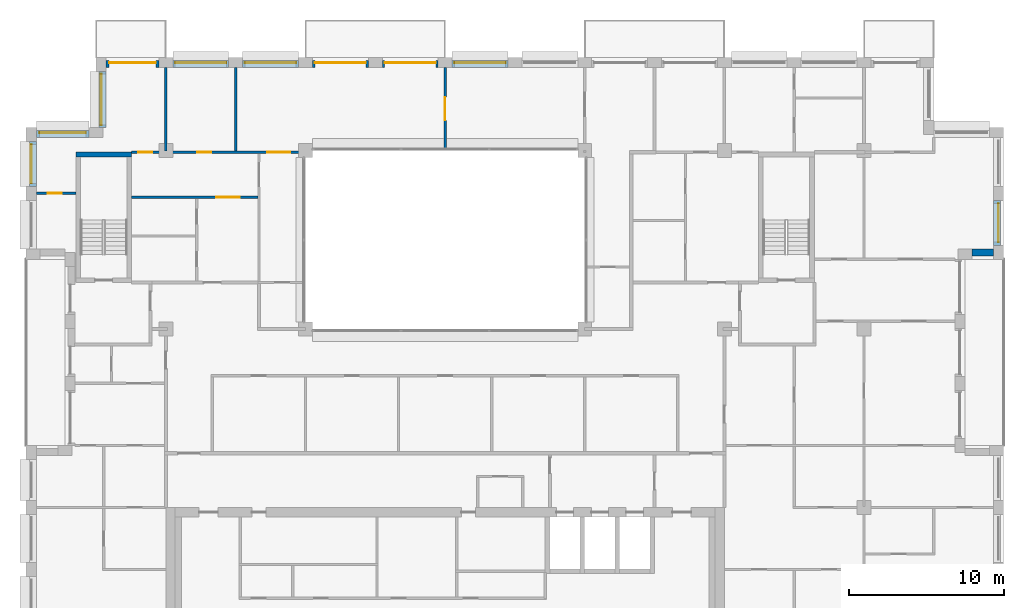
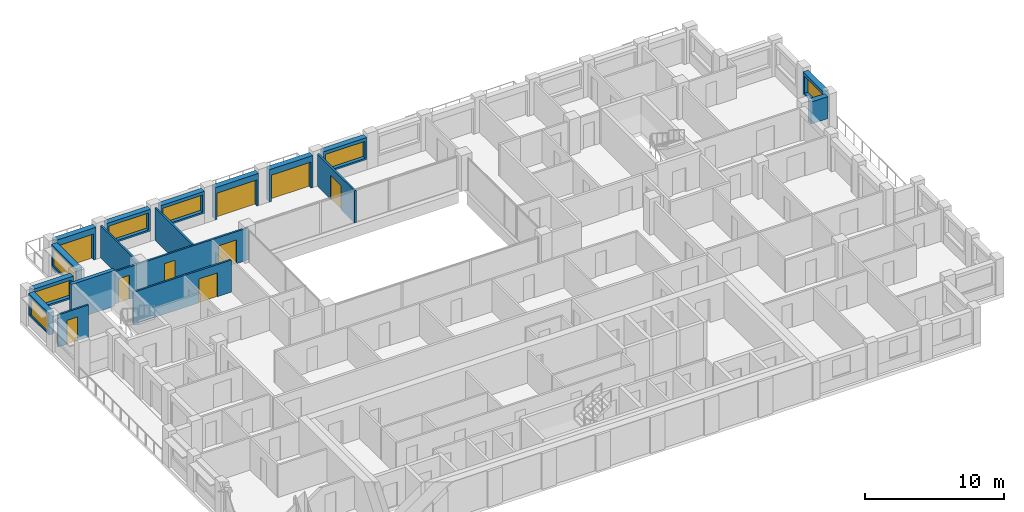
# One storey, part 13 of 16: 18 walls, 9 doors, 7 windows, 16 openings.
"""IFC4 building model written with IfcOpenShell, lengths in metres."""

from ifc_helpers import new_model, si_unit, direction, frame, frame_2d, origin, place, context, subcontext, project, spatial, rectangle, extrude, material, layer, layer_set, type_object, element, fill, save


model = new_model("IFC4")

# Units and contexts
model_context = context("Model", 3, precision=1e-05, world=origin(), true_north=direction((0.0, 1.0)))
body_context = subcontext(model_context, "Body", "Model", "MODEL_VIEW")
ifc_project = project(units=[si_unit("LENGTHUNIT", "METRE"), si_unit("AREAUNIT", "SQUARE_METRE"), si_unit("VOLUMEUNIT", "CUBIC_METRE"), si_unit("PLANEANGLEUNIT", "RADIAN"), si_unit("MASSUNIT", "GRAM", prefix="KILO")], contexts=[model_context])

# Site, building, storey
site_placement = place(None, origin())
site = spatial("IfcSite", under=ifc_project, at=site_placement, CompositionType="ELEMENT")
building_placement = place(site_placement, origin())
building = spatial("IfcBuilding", under=site, at=building_placement, Name="Brigalow Station Residences", CompositionType="ELEMENT")
storey_placement = place(building_placement, frame((0.0, 0.0, 198.0)))
storey = spatial("IfcBuildingStorey", under=building, at=storey_placement, Name="L56", CompositionType="ELEMENT", Elevation=198.0)

# Wall
ifc_material_1 = material(Name="Clay brick masonry", Category="masonry")
ifc_layer_1 = layer(ifc_material_1, 0.449951171875)
ifc_layer_set_1 = layer_set([ifc_layer_1], Name="BRICK INFILL WALL 450")
wall_type_1 = type_object("IfcWallType", Name="BRICK INFILL WALL 450", PredefinedType="SOLIDWALL", material=ifc_layer_set_1)
wall_1_placement = place(storey_placement, frame((69.949951171875, 28.925048828125, 0.89990234375), z_axis=(0.0, 0.0, 1.0), x_axis=(1.0, 0.0, 0.0)))
element("IfcWall", 1, at=wall_1_placement, inside=storey, type_object=wall_type_1, Name="L56/ewall/W-L56-15", PredefinedType="SOLIDWALL", context=body_context, shape_type="SweptSolid", body=[
    extrude(rectangle(XDim=1.400146484375, YDim=0.449951171875, at=frame_2d((0.7001953125, 0.0))), origin(), (0.0, 0.0, 1.0), 1.93017578125),
])

# Wall, opening, window
wall_2_placement = place(storey_placement, frame((71.574951171875, 29.39990234375, 0.89990234375), z_axis=(0.0, 0.0, 1.0), x_axis=(0.0, 1.0, 0.0)))
wall_2 = element("IfcWall", 2, at=wall_2_placement, inside=storey, type_object=wall_type_1, Name="L56/ewall/W-L56-16", PredefinedType="SOLIDWALL", context=body_context, shape_type="SweptSolid", body=[
    extrude(rectangle(XDim=2.900146484375, YDim=0.449951171875, at=frame_2d((1.4501953125, 0.0))), origin(), (0.0, 0.0, 1.0), 1.93017578125),
])
opening_1_placement = place(wall_2_placement, frame((0.199951171875, 0.0, 0.14990234375)))
opening_1 = element("IfcOpeningElement", 3, at=opening_1_placement, cuts=wall_2, Name="Opening WT-5", PredefinedType="OPENING", context=body_context, shape_type="SweptSolid", body=[
    extrude(rectangle(XDim=2.5, YDim=1.5, at=frame_2d((1.25, 0.75))), frame((0.0, 0.23486328125, 0.0), z_axis=(0.0, -1.0, 0.0), x_axis=(1.0, 0.0, 0.0)), (0.0, 0.0, 1.0), 0.469970703125),
])
ifc_material_2 = material(Name="Anodised aluminium frame with double glazing", Category="aluminium")
window_type_1 = type_object("IfcWindowType", Name="WINDOW 2500x1500", PartitioningType="SINGLE_PANEL", PredefinedType="WINDOW", material=ifc_material_2)
window_1_placement = place(opening_1_placement, origin())
window_1 = element("IfcWindow", 4, at=window_1_placement, inside=storey, type_object=window_type_1, Name="L56/window/W-L56-16", OverallHeight=1.5, OverallWidth=2.5, PartitioningType="SINGLE_PANEL", PredefinedType="WINDOW", context=body_context, shape_type="SweptSolid", body=[
    extrude(rectangle(XDim=2.5, YDim=1.5, at=frame_2d((1.25, 0.75))), frame((0.0, -0.06494140625, 0.0), z_axis=(0.0, -1.0, 0.0), x_axis=(1.0, 0.0, 0.0)), (0.0, 0.0, 1.0), 0.06005859375),
])
fill(opening_1, window_1)

wall_3_placement = place(storey_placement, frame((40.050048828125, 41.074951171875, 0.89990234375), z_axis=(0.0, 0.0, 1.0), x_axis=(-1.0, 0.0, 0.0)))
wall_3 = element("IfcWall", 5, at=wall_3_placement, inside=storey, type_object=wall_type_1, Name="L56/ewall/W-L56-26", PredefinedType="SOLIDWALL", context=body_context, shape_type="SweptSolid", body=[
    extrude(rectangle(XDim=3.60009765625, YDim=0.449951171875, at=frame_2d((1.800048828125, 0.0))), origin(), (0.0, 0.0, 1.0), 1.93017578125),
])
opening_2_placement = place(wall_3_placement, frame((0.14990234375, 0.0, 0.14990234375)))
opening_2 = element("IfcOpeningElement", 6, at=opening_2_placement, cuts=wall_3, Name="Opening WT-10", PredefinedType="OPENING", context=body_context, shape_type="SweptSolid", body=[
    extrude(rectangle(XDim=3.300048828125, YDim=1.5, at=frame_2d((1.64990234375, 0.75))), frame((0.0, 0.23486328125, 0.0), z_axis=(0.0, -1.0, 0.0), x_axis=(1.0, 0.0, 0.0)), (0.0, 0.0, 1.0), 0.469970703125),
])
ifc_material_3 = material(Name="Anodised aluminium frame with double glazing", Category="aluminium")
window_type_2 = type_object("IfcWindowType", Name="WINDOW 3300x1500", PartitioningType="SINGLE_PANEL", PredefinedType="WINDOW", material=ifc_material_3)
window_2_placement = place(opening_2_placement, origin())
window_2 = element("IfcWindow", 7, at=window_2_placement, inside=storey, type_object=window_type_2, Name="L56/window/W-L56-26", OverallHeight=1.5, OverallWidth=3.300048828125, PartitioningType="SINGLE_PANEL", PredefinedType="WINDOW", context=body_context, shape_type="SweptSolid", body=[
    extrude(rectangle(XDim=3.300048828125, YDim=1.5, at=frame_2d((1.64990234375, 0.75))), frame((0.0, -0.06494140625, 0.0), z_axis=(0.0, -1.0, 0.0), x_axis=(1.0, 0.0, 0.0)), (0.0, 0.0, 1.0), 0.06005859375),
])
fill(opening_2, window_2)

# Wall, opening, door
wall_4_placement = place(storey_placement, frame((35.550048828125, 41.074951171875, 0.0), z_axis=(0.0, 0.0, 1.0), x_axis=(-1.0, 0.0, 0.0)))
wall_4 = element("IfcWall", 8, at=wall_4_placement, inside=storey, type_object=wall_type_1, Name="L56/ewall/W-L56-27", PredefinedType="SOLIDWALL", context=body_context, shape_type="SweptSolid", body=[
    extrude(rectangle(XDim=3.60009765625, YDim=0.449951171875, at=frame_2d((1.800048828125, 0.0))), origin(), (0.0, 0.0, 1.0), 2.830078125),
])
opening_3_placement = place(wall_4_placement, frame((0.14990234375, 0.0, 0.0)))
opening_3 = element("IfcOpeningElement", 9, at=opening_3_placement, cuts=wall_4, Name="Opening D-B3300", PredefinedType="OPENING", context=body_context, shape_type="SweptSolid", body=[
    extrude(rectangle(XDim=3.300048828125, YDim=2.300048828125, at=frame_2d((1.64990234375, 1.14990234375))), frame((0.0, 0.23486328125, 0.0), z_axis=(0.0, -1.0, 0.0), x_axis=(1.0, 0.0, 0.0)), (0.0, 0.0, 1.0), 0.469970703125),
])
ifc_material_4 = material(Name="Anodised aluminium frame with double glazing", Category="aluminium")
door_type_1 = type_object("IfcDoorType", Name="BALCONY SLIDING DOOR 3300x2300", OperationType="SLIDING_TO_LEFT", PredefinedType="DOOR", material=ifc_material_4)
door_1_placement = place(opening_3_placement, origin())
door_1 = element("IfcDoor", 10, at=door_1_placement, inside=storey, type_object=door_type_1, Name="L56/balcony-door/W-L56-27", OperationType="SLIDING_TO_LEFT", OverallHeight=2.300048828125, OverallWidth=3.300048828125, PredefinedType="DOOR", context=body_context, shape_type="SweptSolid", body=[
    extrude(rectangle(XDim=3.300048828125, YDim=2.300048828125, at=frame_2d((1.64990234375, 1.14990234375))), frame((0.0, -0.06982421875, 0.0), z_axis=(0.0, -1.0, 0.0), x_axis=(1.0, 0.0, 0.0)), (0.0, 0.0, 1.0), 0.050048828125),
])
fill(opening_3, door_1)

wall_5_placement = place(storey_placement, frame((31.050048828125, 41.074951171875, 0.0), z_axis=(0.0, 0.0, 1.0), x_axis=(-1.0, 0.0, 0.0)))
wall_5 = element("IfcWall", 11, at=wall_5_placement, inside=storey, type_object=wall_type_1, Name="L56/ewall/W-L56-28", PredefinedType="SOLIDWALL", context=body_context, shape_type="SweptSolid", body=[
    extrude(rectangle(XDim=3.60009765625, YDim=0.449951171875, at=frame_2d((1.800048828125, 0.0))), origin(), (0.0, 0.0, 1.0), 2.830078125),
])
opening_4_placement = place(wall_5_placement, frame((0.14990234375, 0.0, 0.0)))
opening_4 = element("IfcOpeningElement", 12, at=opening_4_placement, cuts=wall_5, Name="Opening D-B3300", PredefinedType="OPENING", context=body_context, shape_type="SweptSolid", body=[
    extrude(rectangle(XDim=3.300048828125, YDim=2.300048828125, at=frame_2d((1.64990234375, 1.14990234375))), frame((0.0, 0.23486328125, 0.0), z_axis=(0.0, -1.0, 0.0), x_axis=(1.0, 0.0, 0.0)), (0.0, 0.0, 1.0), 0.469970703125),
])
door_2_placement = place(opening_4_placement, origin())
door_2 = element("IfcDoor", 13, at=door_2_placement, inside=storey, type_object=door_type_1, Name="L56/balcony-door/W-L56-28", OperationType="SLIDING_TO_LEFT", OverallHeight=2.300048828125, OverallWidth=3.300048828125, PredefinedType="DOOR", context=body_context, shape_type="SweptSolid", body=[
    extrude(rectangle(XDim=3.300048828125, YDim=2.300048828125, at=frame_2d((1.64990234375, 1.14990234375))), frame((0.0, -0.06982421875, 0.0), z_axis=(0.0, -1.0, 0.0), x_axis=(1.0, 0.0, 0.0)), (0.0, 0.0, 1.0), 0.050048828125),
])
fill(opening_4, door_2)

# Wall, opening, window
wall_6_placement = place(storey_placement, frame((26.550048828125, 41.074951171875, 0.89990234375), z_axis=(0.0, 0.0, 1.0), x_axis=(-1.0, 0.0, 0.0)))
wall_6 = element("IfcWall", 14, at=wall_6_placement, inside=storey, type_object=wall_type_1, Name="L56/ewall/W-L56-29", PredefinedType="SOLIDWALL", context=body_context, shape_type="SweptSolid", body=[
    extrude(rectangle(XDim=3.60009765625, YDim=0.449951171875, at=frame_2d((1.800048828125, 0.0))), origin(), (0.0, 0.0, 1.0), 1.93017578125),
])
opening_5_placement = place(wall_6_placement, frame((0.14990234375, 0.0, 0.14990234375)))
opening_5 = element("IfcOpeningElement", 15, at=opening_5_placement, cuts=wall_6, Name="Opening WT-10", PredefinedType="OPENING", context=body_context, shape_type="SweptSolid", body=[
    extrude(rectangle(XDim=3.300048828125, YDim=1.5, at=frame_2d((1.64990234375, 0.75))), frame((0.0, 0.23486328125, 0.0), z_axis=(0.0, -1.0, 0.0), x_axis=(1.0, 0.0, 0.0)), (0.0, 0.0, 1.0), 0.469970703125),
])
window_3_placement = place(opening_5_placement, origin())
window_3 = element("IfcWindow", 16, at=window_3_placement, inside=storey, type_object=window_type_2, Name="L56/window/W-L56-29", OverallHeight=1.5, OverallWidth=3.300048828125, PartitioningType="SINGLE_PANEL", PredefinedType="WINDOW", context=body_context, shape_type="SweptSolid", body=[
    extrude(rectangle(XDim=3.300048828125, YDim=1.5, at=frame_2d((1.64990234375, 0.75))), frame((0.0, -0.06494140625, 0.0), z_axis=(0.0, -1.0, 0.0), x_axis=(1.0, 0.0, 0.0)), (0.0, 0.0, 1.0), 0.06005859375),
])
fill(opening_5, window_3)

wall_7_placement = place(storey_placement, frame((22.050048828125, 41.074951171875, 0.89990234375), z_axis=(0.0, 0.0, 1.0), x_axis=(-1.0, 0.0, 0.0)))
wall_7 = element("IfcWall", 17, at=wall_7_placement, inside=storey, type_object=wall_type_1, Name="L56/ewall/W-L56-30", PredefinedType="SOLIDWALL", context=body_context, shape_type="SweptSolid", body=[
    extrude(rectangle(XDim=3.60009765625, YDim=0.449951171875, at=frame_2d((1.800048828125, 0.0))), origin(), (0.0, 0.0, 1.0), 1.93017578125),
])
opening_6_placement = place(wall_7_placement, frame((0.14990234375, 0.0, 0.14990234375)))
opening_6 = element("IfcOpeningElement", 18, at=opening_6_placement, cuts=wall_7, Name="Opening WT-10", PredefinedType="OPENING", context=body_context, shape_type="SweptSolid", body=[
    extrude(rectangle(XDim=3.300048828125, YDim=1.5, at=frame_2d((1.64990234375, 0.75))), frame((0.0, 0.23486328125, 0.0), z_axis=(0.0, -1.0, 0.0), x_axis=(1.0, 0.0, 0.0)), (0.0, 0.0, 1.0), 0.469970703125),
])
window_4_placement = place(opening_6_placement, origin())
window_4 = element("IfcWindow", 19, at=window_4_placement, inside=storey, type_object=window_type_2, Name="L56/window/W-L56-30", OverallHeight=1.5, OverallWidth=3.300048828125, PartitioningType="SINGLE_PANEL", PredefinedType="WINDOW", context=body_context, shape_type="SweptSolid", body=[
    extrude(rectangle(XDim=3.300048828125, YDim=1.5, at=frame_2d((1.64990234375, 0.75))), frame((0.0, -0.06494140625, 0.0), z_axis=(0.0, -1.0, 0.0), x_axis=(1.0, 0.0, 0.0)), (0.0, 0.0, 1.0), 0.06005859375),
])
fill(opening_6, window_4)

# Wall, opening, door
wall_8_placement = place(storey_placement, frame((17.550048828125, 41.074951171875, 0.0), z_axis=(0.0, 0.0, 1.0), x_axis=(-1.0, 0.0, 0.0)))
wall_8 = element("IfcWall", 20, at=wall_8_placement, inside=storey, type_object=wall_type_1, Name="L56/ewall/W-L56-31", PredefinedType="SOLIDWALL", context=body_context, shape_type="SweptSolid", body=[
    extrude(rectangle(XDim=3.400146484375, YDim=0.449951171875, at=frame_2d((1.7001953125, 0.0))), origin(), (0.0, 0.0, 1.0), 2.830078125),
])
opening_7_placement = place(wall_8_placement, frame((0.199951171875, 0.0, 0.0)))
opening_7 = element("IfcOpeningElement", 21, at=opening_7_placement, cuts=wall_8, Name="Opening D-B3000", PredefinedType="OPENING", context=body_context, shape_type="SweptSolid", body=[
    extrude(rectangle(XDim=3.0, YDim=2.300048828125, at=frame_2d((1.5, 1.14990234375))), frame((0.0, 0.23486328125, 0.0), z_axis=(0.0, -1.0, 0.0), x_axis=(1.0, 0.0, 0.0)), (0.0, 0.0, 1.0), 0.469970703125),
])
ifc_material_5 = material(Name="Anodised aluminium frame with double glazing", Category="aluminium")
door_type_2 = type_object("IfcDoorType", Name="BALCONY SLIDING DOOR 3000x2300", OperationType="SLIDING_TO_LEFT", PredefinedType="DOOR", material=ifc_material_5)
door_3_placement = place(opening_7_placement, origin())
door_3 = element("IfcDoor", 22, at=door_3_placement, inside=storey, type_object=door_type_2, Name="L56/balcony-door/W-L56-31", OperationType="SLIDING_TO_LEFT", OverallHeight=2.300048828125, OverallWidth=3.0, PredefinedType="DOOR", context=body_context, shape_type="SweptSolid", body=[
    extrude(rectangle(XDim=3.0, YDim=2.300048828125, at=frame_2d((1.5, 1.14990234375))), frame((0.0, -0.06982421875, 0.0), z_axis=(0.0, -1.0, 0.0), x_axis=(1.0, 0.0, 0.0)), (0.0, 0.0, 1.0), 0.050048828125),
])
fill(opening_7, door_3)

# Wall, opening, window
wall_9_placement = place(storey_placement, frame((13.925048828125, 40.60009765625, 0.89990234375), z_axis=(0.0, 0.0, 1.0), x_axis=(0.0, -1.0, 0.0)))
wall_9 = element("IfcWall", 23, at=wall_9_placement, inside=storey, type_object=wall_type_1, Name="L56/ewall/W-L56-32", PredefinedType="SOLIDWALL", context=body_context, shape_type="SweptSolid", body=[
    extrude(rectangle(XDim=3.60009765625, YDim=0.449951171875, at=frame_2d((1.800048828125, 0.0))), origin(), (0.0, 0.0, 1.0), 1.93017578125),
])
opening_8_placement = place(wall_9_placement, frame((0.14990234375, 0.0, 0.14990234375)))
opening_8 = element("IfcOpeningElement", 24, at=opening_8_placement, cuts=wall_9, Name="Opening WT-10", PredefinedType="OPENING", context=body_context, shape_type="SweptSolid", body=[
    extrude(rectangle(XDim=3.300048828125, YDim=1.5, at=frame_2d((1.64990234375, 0.75))), frame((0.0, 0.23486328125, 0.0), z_axis=(0.0, -1.0, 0.0), x_axis=(1.0, 0.0, 0.0)), (0.0, 0.0, 1.0), 0.469970703125),
])
window_5_placement = place(opening_8_placement, origin())
window_5 = element("IfcWindow", 25, at=window_5_placement, inside=storey, type_object=window_type_2, Name="L56/window/W-L56-32", OverallHeight=1.5, OverallWidth=3.300048828125, PartitioningType="SINGLE_PANEL", PredefinedType="WINDOW", context=body_context, shape_type="SweptSolid", body=[
    extrude(rectangle(XDim=3.300048828125, YDim=1.5, at=frame_2d((1.64990234375, 0.75))), frame((0.0, -0.06494140625, 0.0), z_axis=(0.0, -1.0, 0.0), x_axis=(1.0, 0.0, 0.0)), (0.0, 0.0, 1.0), 0.06005859375),
])
fill(opening_8, window_5)

wall_10_placement = place(storey_placement, frame((13.050048828125, 36.574951171875, 0.89990234375), z_axis=(0.0, 0.0, 1.0), x_axis=(-1.0, 0.0, 0.0)))
wall_10 = element("IfcWall", 26, at=wall_10_placement, inside=storey, type_object=wall_type_1, Name="L56/ewall/W-L56-33", PredefinedType="SOLIDWALL", context=body_context, shape_type="SweptSolid", body=[
    extrude(rectangle(XDim=3.400146484375, YDim=0.449951171875, at=frame_2d((1.7001953125, 0.0))), origin(), (0.0, 0.0, 1.0), 1.93017578125),
])
opening_9_placement = place(wall_10_placement, frame((0.199951171875, 0.0, 0.14990234375)))
opening_9 = element("IfcOpeningElement", 27, at=opening_9_placement, cuts=wall_10, Name="Opening WT-2", PredefinedType="OPENING", context=body_context, shape_type="SweptSolid", body=[
    extrude(rectangle(XDim=3.0, YDim=1.5, at=frame_2d((1.5, 0.75))), frame((0.0, 0.23486328125, 0.0), z_axis=(0.0, -1.0, 0.0), x_axis=(1.0, 0.0, 0.0)), (0.0, 0.0, 1.0), 0.469970703125),
])
ifc_material_6 = material(Name="Anodised aluminium frame with double glazing", Category="aluminium")
window_type_3 = type_object("IfcWindowType", Name="WINDOW 3000x1500", PartitioningType="SINGLE_PANEL", PredefinedType="WINDOW", material=ifc_material_6)
window_6_placement = place(opening_9_placement, origin())
window_6 = element("IfcWindow", 28, at=window_6_placement, inside=storey, type_object=window_type_3, Name="L56/window/W-L56-33", OverallHeight=1.5, OverallWidth=3.0, PartitioningType="SINGLE_PANEL", PredefinedType="WINDOW", context=body_context, shape_type="SweptSolid", body=[
    extrude(rectangle(XDim=3.0, YDim=1.5, at=frame_2d((1.5, 0.75))), frame((0.0, -0.06494140625, 0.0), z_axis=(0.0, -1.0, 0.0), x_axis=(1.0, 0.0, 0.0)), (0.0, 0.0, 1.0), 0.06005859375),
])
fill(opening_9, window_6)

wall_11_placement = place(storey_placement, frame((9.425048828125, 36.10009765625, 0.89990234375), z_axis=(0.0, 0.0, 1.0), x_axis=(0.0, -1.0, 0.0)))
wall_11 = element("IfcWall", 29, at=wall_11_placement, inside=storey, type_object=wall_type_1, Name="L56/ewall/W-L56-34", PredefinedType="SOLIDWALL", context=body_context, shape_type="SweptSolid", body=[
    extrude(rectangle(XDim=2.900146484375, YDim=0.449951171875, at=frame_2d((1.4501953125, 0.0))), origin(), (0.0, 0.0, 1.0), 1.93017578125),
])
opening_10_placement = place(wall_11_placement, frame((0.199951171875, 0.0, 0.14990234375)))
opening_10 = element("IfcOpeningElement", 30, at=opening_10_placement, cuts=wall_11, Name="Opening WT-5", PredefinedType="OPENING", context=body_context, shape_type="SweptSolid", body=[
    extrude(rectangle(XDim=2.5, YDim=1.5, at=frame_2d((1.25, 0.75))), frame((0.0, 0.23486328125, 0.0), z_axis=(0.0, -1.0, 0.0), x_axis=(1.0, 0.0, 0.0)), (0.0, 0.0, 1.0), 0.469970703125),
])
window_7_placement = place(opening_10_placement, origin())
window_7 = element("IfcWindow", 31, at=window_7_placement, inside=storey, type_object=window_type_1, Name="L56/window/W-L56-34", OverallHeight=1.5, OverallWidth=2.5, PartitioningType="SINGLE_PANEL", PredefinedType="WINDOW", context=body_context, shape_type="SweptSolid", body=[
    extrude(rectangle(XDim=2.5, YDim=1.5, at=frame_2d((1.25, 0.75))), frame((0.0, -0.06494140625, 0.0), z_axis=(0.0, -1.0, 0.0), x_axis=(1.0, 0.0, 0.0)), (0.0, 0.0, 1.0), 0.06005859375),
])
fill(opening_10, window_7)

# Wall
ifc_material_7 = material(Name="Concrete C50", Category="concrete")
ifc_layer_2 = layer(ifc_material_7, 0.300048828125)
ifc_layer_set_2 = layer_set([ifc_layer_2], Name="CORE SHEAR WALL 300 C50")
wall_type_2 = type_object("IfcWallType", Name="CORE SHEAR WALL 300 C50", PredefinedType="SHEAR", material=ifc_layer_set_2)
wall_12_placement = place(storey_placement, frame((12.199951171875, 35.25, 0.0), z_axis=(0.0, 0.0, 1.0), x_axis=(1.0, 0.0, 0.0)))
element("IfcWall", 32, at=wall_12_placement, inside=storey, type_object=wall_type_2, Name="CORE WALL ST-S1-N L56", PredefinedType="SHEAR", context=body_context, shape_type="SweptSolid", body=[
    extrude(rectangle(XDim=3.60009765625, YDim=0.300048828125, at=frame_2d((1.800048828125, 0.0))), origin(), (0.0, 0.0, 1.0), 3.14990234375),
])

# Wall, opening, door
ifc_material_8 = material(Name="Plasterboard on steel stud partition", Category="steel")
ifc_layer_3 = layer(ifc_material_8, 0.14990234375)
ifc_layer_set_3 = layer_set([ifc_layer_3], Name="FLAT PARTITION 150")
wall_type_3 = type_object("IfcWallType", Name="FLAT PARTITION 150", PredefinedType="PARTITIONING", material=ifc_layer_set_3)
wall_13_placement = place(storey_placement, frame((15.800048828125, 32.5, 0.0), z_axis=(0.0, 0.0, 1.0), x_axis=(1.0, 0.0, 0.0)))
wall_13 = element("IfcWall", 33, at=wall_13_placement, inside=storey, type_object=wall_type_3, Name="PW-4A18", PredefinedType="PARTITIONING", context=body_context, shape_type="SweptSolid", body=[
    extrude(rectangle(XDim=8.125, YDim=0.14990234375, at=frame_2d((4.0625, 0.0))), origin(), (0.0, 0.0, 1.0), 2.830078125),
])
opening_11_placement = place(wall_13_placement, frame((5.449951171875, 0.0, 0.0)))
opening_11 = element("IfcOpeningElement", 34, at=opening_11_placement, cuts=wall_13, Name="Opening D-4A14", PredefinedType="OPENING", context=body_context, shape_type="SweptSolid", body=[
    extrude(rectangle(XDim=1.5, YDim=2.10009765625, at=frame_2d((0.75, 1.050048828125))), frame((0.0, 0.0849609375, 0.0), z_axis=(0.0, -1.0, 0.0), x_axis=(1.0, 0.0, 0.0)), (0.0, 0.0, 1.0), 0.169921875),
])
ifc_material_9 = material(Name="Solid-core timber door leaf", Category="wood")
door_type_3 = type_object("IfcDoorType", Name="INTERNAL DOUBLE DOOR 1500 x 2100", OperationType="DOUBLE_DOOR_SINGLE_SWING", PredefinedType="DOOR", material=ifc_material_9)
door_4_placement = place(opening_11_placement, frame((1.5, 0.0, 0.0), z_axis=(0.0, 0.0, 1.0), x_axis=(-1.0, 0.0, 0.0)))
door_4 = element("IfcDoor", 35, at=door_4_placement, inside=storey, type_object=door_type_3, Name="D-4A14", OperationType="DOUBLE_DOOR_SINGLE_SWING", OverallHeight=2.10009765625, OverallWidth=1.5, PredefinedType="DOOR", context=body_context, shape_type="SweptSolid", body=[
    extrude(rectangle(XDim=1.5, YDim=2.10009765625, at=frame_2d((0.75, 1.050048828125))), frame((0.0, 0.02490234375, 0.0), z_axis=(0.0, -1.0, 0.0), x_axis=(1.0, 0.0, 0.0)), (0.0, 0.0, 1.0), 0.050048828125),
])
fill(opening_11, door_4)

# Wall, openings, doors
wall_14_placement = place(storey_placement, frame((15.800048828125, 35.39990234375, 0.0), z_axis=(0.0, 0.0, 1.0), x_axis=(1.0, 0.0, 0.0)))
wall_14 = element("IfcWall", 36, at=wall_14_placement, inside=storey, type_object=wall_type_3, Name="PW-4A20", PredefinedType="PARTITIONING", context=body_context, shape_type="SweptSolid", body=[
    extrude(rectangle(XDim=11.199951171875, YDim=0.14990234375, at=frame_2d((5.60009765625, 0.0))), origin(), (0.0, 0.0, 1.0), 2.830078125),
])
opening_12_placement = place(wall_14_placement, frame((0.425048828125, 0.0, 0.0)))
opening_12 = element("IfcOpeningElement", 37, at=opening_12_placement, cuts=wall_14, Name="Opening D-4A17", PredefinedType="OPENING", context=body_context, shape_type="SweptSolid", body=[
    extrude(rectangle(XDim=0.89990234375, YDim=2.10009765625, at=frame_2d((0.449951171875, 1.050048828125))), frame((0.0, 0.0849609375, 0.0), z_axis=(0.0, -1.0, 0.0), x_axis=(1.0, 0.0, 0.0)), (0.0, 0.0, 1.0), 0.169921875),
])
opening_13_placement = place(wall_14_placement, frame((4.22509765625, 0.0, 0.0)))
opening_13 = element("IfcOpeningElement", 38, at=opening_13_placement, cuts=wall_14, Name="Opening D-4A19", PredefinedType="OPENING", context=body_context, shape_type="SweptSolid", body=[
    extrude(rectangle(XDim=0.89990234375, YDim=2.10009765625, at=frame_2d((0.449951171875, 1.050048828125))), frame((0.0, 0.0849609375, 0.0), z_axis=(0.0, -1.0, 0.0), x_axis=(1.0, 0.0, 0.0)), (0.0, 0.0, 1.0), 0.169921875),
])
opening_14_placement = place(wall_14_placement, frame((8.72509765625, 0.0, 0.0)))
opening_14 = element("IfcOpeningElement", 39, at=opening_14_placement, cuts=wall_14, Name="Opening D-4A20", PredefinedType="OPENING", context=body_context, shape_type="SweptSolid", body=[
    extrude(rectangle(XDim=1.5, YDim=2.10009765625, at=frame_2d((0.75, 1.050048828125))), frame((0.0, 0.0849609375, 0.0), z_axis=(0.0, -1.0, 0.0), x_axis=(1.0, 0.0, 0.0)), (0.0, 0.0, 1.0), 0.169921875),
])
ifc_material_10 = material(Name="Solid-core timber door leaf", Category="wood")
door_type_4 = type_object("IfcDoorType", Name="INTERNAL DOOR 900 x 2100", OperationType="SINGLE_SWING_LEFT", PredefinedType="DOOR", material=ifc_material_10)
door_5_placement = place(opening_12_placement, origin())
door_5 = element("IfcDoor", 40, at=door_5_placement, inside=storey, type_object=door_type_4, Name="D-4A17", OperationType="SINGLE_SWING_RIGHT", OverallHeight=2.10009765625, OverallWidth=0.89990234375, PredefinedType="DOOR", context=body_context, shape_type="SweptSolid", body=[
    extrude(rectangle(XDim=0.89990234375, YDim=2.10009765625, at=frame_2d((0.449951171875, 1.050048828125))), frame((0.0, 0.02490234375, 0.0), z_axis=(0.0, -1.0, 0.0), x_axis=(1.0, 0.0, 0.0)), (0.0, 0.0, 1.0), 0.050048828125),
])
fill(opening_12, door_5)
door_6_placement = place(opening_13_placement, origin())
door_6 = element("IfcDoor", 41, at=door_6_placement, inside=storey, type_object=door_type_4, Name="D-4A19", OperationType="SINGLE_SWING_RIGHT", OverallHeight=2.10009765625, OverallWidth=0.89990234375, PredefinedType="DOOR", context=body_context, shape_type="SweptSolid", body=[
    extrude(rectangle(XDim=0.89990234375, YDim=2.10009765625, at=frame_2d((0.449951171875, 1.050048828125))), frame((0.0, 0.02490234375, 0.0), z_axis=(0.0, -1.0, 0.0), x_axis=(1.0, 0.0, 0.0)), (0.0, 0.0, 1.0), 0.050048828125),
])
fill(opening_13, door_6)
door_7_placement = place(opening_14_placement, origin())
door_7 = element("IfcDoor", 42, at=door_7_placement, inside=storey, type_object=door_type_3, Name="D-4A20", OperationType="DOUBLE_DOOR_SINGLE_SWING", OverallHeight=2.10009765625, OverallWidth=1.5, PredefinedType="DOOR", context=body_context, shape_type="SweptSolid", body=[
    extrude(rectangle(XDim=1.5, YDim=2.10009765625, at=frame_2d((0.75, 1.050048828125))), frame((0.0, 0.02490234375, 0.0), z_axis=(0.0, -1.0, 0.0), x_axis=(1.0, 0.0, 0.0)), (0.0, 0.0, 1.0), 0.050048828125),
])
fill(opening_14, door_7)

# Wall, opening, door
wall_15_placement = place(storey_placement, frame((9.64990234375, 32.75, 0.0), z_axis=(0.0, 0.0, 1.0), x_axis=(1.0, 0.0, 0.0)))
wall_15 = element("IfcWall", 43, at=wall_15_placement, inside=storey, type_object=wall_type_3, Name="PW-4A25", PredefinedType="PARTITIONING", context=body_context, shape_type="SweptSolid", body=[
    extrude(rectangle(XDim=2.550048828125, YDim=0.14990234375, at=frame_2d((1.27490234375, 0.0))), origin(), (0.0, 0.0, 1.0), 2.830078125),
])
opening_15_placement = place(wall_15_placement, frame((0.75, 0.0, 0.0)))
opening_15 = element("IfcOpeningElement", 44, at=opening_15_placement, cuts=wall_15, Name="Opening D-4A18", PredefinedType="OPENING", context=body_context, shape_type="SweptSolid", body=[
    extrude(rectangle(XDim=0.89990234375, YDim=2.10009765625, at=frame_2d((0.449951171875, 1.050048828125))), frame((0.0, 0.0849609375, 0.0), z_axis=(0.0, -1.0, 0.0), x_axis=(1.0, 0.0, 0.0)), (0.0, 0.0, 1.0), 0.169921875),
])
door_8_placement = place(opening_15_placement, frame((0.89990234375, 0.0, 0.0), z_axis=(0.0, 0.0, 1.0), x_axis=(-1.0, 0.0, 0.0)))
door_8 = element("IfcDoor", 45, at=door_8_placement, inside=storey, type_object=door_type_4, Name="D-4A18", OperationType="SINGLE_SWING_RIGHT", OverallHeight=2.10009765625, OverallWidth=0.89990234375, PredefinedType="DOOR", context=body_context, shape_type="SweptSolid", body=[
    extrude(rectangle(XDim=0.89990234375, YDim=2.10009765625, at=frame_2d((0.449951171875, 1.050048828125))), frame((0.0, 0.02490234375, 0.0), z_axis=(0.0, -1.0, 0.0), x_axis=(1.0, 0.0, 0.0)), (0.0, 0.0, 1.0), 0.050048828125),
])
fill(opening_15, door_8)

# Walls
for number, where, z_axis, x_axis, name in (
    (46, (18.0, 35.47509765625, 0.0), (0.0, 0.0, 1.0), (0.0, 1.0, 0.0), "PW-4A33"),
    (47, (22.5, 35.47509765625, 0.0), (0.0, 0.0, 1.0), (0.0, 1.0, 0.0), "PW-4A46"),
):
    element("IfcWall", number, at=place(storey_placement, frame(where, z_axis=z_axis, x_axis=x_axis)), inside=storey, type_object=wall_type_3, Name=name, PredefinedType="PARTITIONING", context=body_context, shape_type="SweptSolid", body=[
        extrude(rectangle(XDim=5.375, YDim=0.14990234375, at=frame_2d((2.6875, 0.0))), origin(), (0.0, 0.0, 1.0), 2.830078125),
    ])

# Wall, opening, door
wall_16_placement = place(storey_placement, frame((36.0, 35.5, 0.0), z_axis=(0.0, 0.0, 1.0), x_axis=(0.0, 1.0, 0.0)))
wall_16 = element("IfcWall", 48, at=wall_16_placement, inside=storey, type_object=wall_type_3, Name="PW-4A47", PredefinedType="PARTITIONING", context=body_context, shape_type="SweptSolid", body=[
    extrude(rectangle(XDim=5.35009765625, YDim=0.14990234375, at=frame_2d((2.675048828125, 0.0))), origin(), (0.0, 0.0, 1.0), 2.830078125),
])
opening_16_placement = place(wall_16_placement, frame((1.949951171875, 0.0, 0.0)))
opening_16 = element("IfcOpeningElement", 49, at=opening_16_placement, cuts=wall_16, Name="Opening D-4A21", PredefinedType="OPENING", context=body_context, shape_type="SweptSolid", body=[
    extrude(rectangle(XDim=1.5, YDim=2.10009765625, at=frame_2d((0.75, 1.050048828125))), frame((0.0, 0.0849609375, 0.0), z_axis=(0.0, -1.0, 0.0), x_axis=(1.0, 0.0, 0.0)), (0.0, 0.0, 1.0), 0.169921875),
])
door_9_placement = place(opening_16_placement, frame((1.5, 0.0, 0.0), z_axis=(0.0, 0.0, 1.0), x_axis=(-1.0, 0.0, 0.0)))
door_9 = element("IfcDoor", 50, at=door_9_placement, inside=storey, type_object=door_type_3, Name="D-4A21", OperationType="DOUBLE_DOOR_SINGLE_SWING", OverallHeight=2.10009765625, OverallWidth=1.5, PredefinedType="DOOR", context=body_context, shape_type="SweptSolid", body=[
    extrude(rectangle(XDim=1.5, YDim=2.10009765625, at=frame_2d((0.75, 1.050048828125))), frame((0.0, 0.02490234375, 0.0), z_axis=(0.0, -1.0, 0.0), x_axis=(1.0, 0.0, 0.0)), (0.0, 0.0, 1.0), 0.050048828125),
])
fill(opening_16, door_9)

save(model, "model.ifc")
